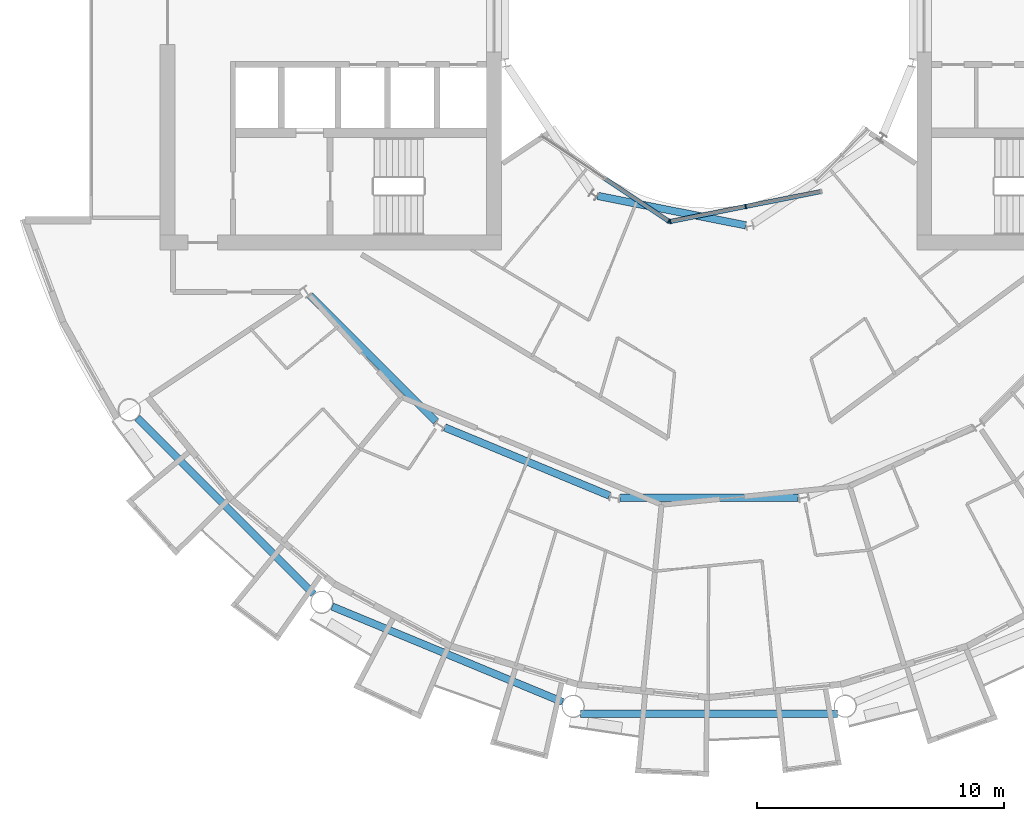
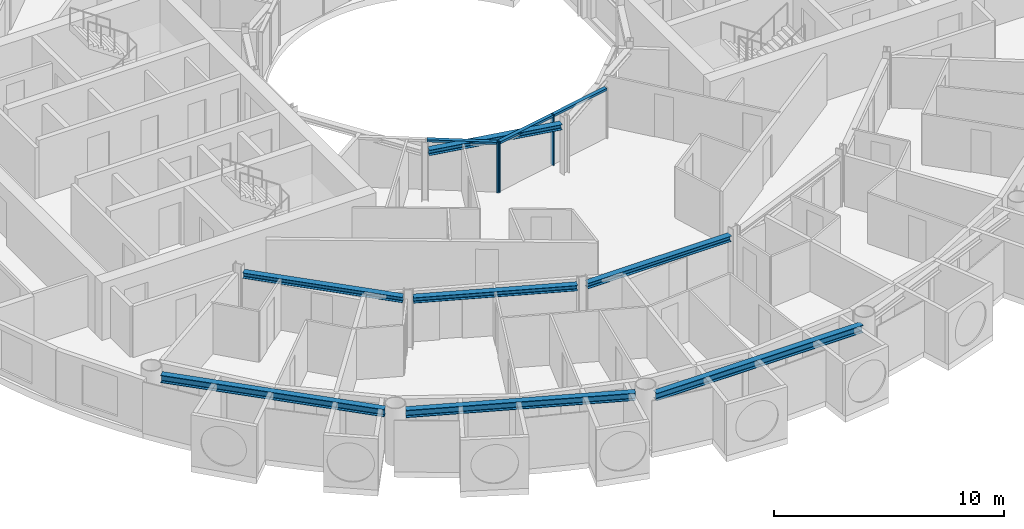
# One storey, part 5 of 27: 7 beams, 6 members, 2 elements without a shape of their own.
"""IFC4 building model written with IfcOpenShell, lengths in metres."""

from ifc_helpers import new_model, si_unit, direction, frame, origin, origin_2d, place, context, subcontext, project, spatial, rectangle, i_section, extrude, material, layer, layer_set, material_profile, profile_set, type_object, element, aggregate, save


model = new_model("IFC4")

# Units and contexts
model_context = context("Model", 3, precision=1e-05, world=origin(), true_north=direction((0.0, 1.0)))
body_context = subcontext(model_context, "Body", "Model", "MODEL_VIEW")
ifc_project = project(units=[si_unit("LENGTHUNIT", "METRE"), si_unit("AREAUNIT", "SQUARE_METRE"), si_unit("VOLUMEUNIT", "CUBIC_METRE"), si_unit("PLANEANGLEUNIT", "RADIAN"), si_unit("MASSUNIT", "GRAM", prefix="KILO")], contexts=[model_context])

# Site, building, storey
site_placement = place(None, origin())
site = spatial("IfcSite", under=ifc_project, at=site_placement, CompositionType="ELEMENT")
building_placement = place(site_placement, origin())
building = spatial("IfcBuilding", under=site, at=building_placement, Name="Maasbend Ring Residences", CompositionType="ELEMENT")
storey_placement = place(building_placement, frame((0.0, 0.0, 120.800048828125)))
storey = spatial("IfcBuildingStorey", under=building, at=storey_placement, Name="L34", CompositionType="ELEMENT", Elevation=120.800048828125)

# Curtain wall, member
ifc_material_1 = material(Name="Aluminium and clear glass", Category="aluminium")
ifc_layer = layer(ifc_material_1, 0.179931640625)
ifc_layer_set = layer_set([ifc_layer], Name="CW-W")
curtain_wall_type = type_object("IfcCurtainWallType", Name="CW-W", PredefinedType="NOTDEFINED", material=ifc_layer_set)
curtain_wall_1_placement = place(storey_placement, origin())
curtain_wall_1 = element("IfcCurtainWall", 1, at=curtain_wall_1_placement, inside=storey, type_object=curtain_wall_type, Name="Well curtain wall S1", PredefinedType="NOTDEFINED")
ifc_material_2 = material(Name="Aluminium 6063-T6", Category="aluminium")
ifc_material_profile_1 = material_profile(ifc_material_2, rectangle(XDim=0.179931640625, YDim=0.06005859375, at=origin_2d()), Name="AL 180x60")
ifc_profile_set_1 = profile_set([ifc_material_profile_1], Name="Aluminium 6063-T6")
member_type_1 = type_object("IfcMemberType", Name="CWM-W", PredefinedType="MULLION", material=ifc_profile_set_1)
member_1_placement = place(storey_placement, frame((-1.627685546875, -8.040771484375, 0.0), z_axis=(0.0, 0.0, 1.0), x_axis=(0.55557023302, 0.831469612303, 0.0)))
member_1 = element("IfcMember", 2, at=member_1_placement, type_object=member_type_1, Name="Mullion well face", PredefinedType="MULLION", context=body_context, shape_type="SweptSolid", body=[
    extrude(rectangle(XDim=0.179931640625, YDim=0.06005859375, at=origin_2d()), origin(), (0.0, 0.0, 1.0), 2.699951171875),
])

# Curtain wall, members
curtain_wall_2_placement = place(storey_placement, origin())
curtain_wall_2 = element("IfcCurtainWall", 3, at=curtain_wall_2_placement, inside=storey, type_object=curtain_wall_type, Name="Well curtain wall S2", PredefinedType="NOTDEFINED")
member_2_placement = place(storey_placement, frame((-1.5732421875, -8.0517578125, 0.0), z_axis=(0.0, 0.0, 1.0), x_axis=(-0.195090322016, 0.980785280403, 0.0)))
member_2 = element("IfcMember", 4, at=member_2_placement, type_object=member_type_1, Name="Mullion well face", PredefinedType="MULLION", context=body_context, shape_type="SweptSolid", body=[
    extrude(rectangle(XDim=0.179931640625, YDim=0.06005859375, at=origin_2d()), origin(), (0.0, 0.0, 1.0), 2.699951171875),
])
member_3_placement = place(storey_placement, frame((1.480712890625, -7.444091796875, 0.0), z_axis=(0.0, 0.0, 1.0), x_axis=(-0.195090322016, 0.980785280403, 0.0)))
member_3 = element("IfcMember", 5, at=member_3_placement, type_object=member_type_1, Name="Mullion well face", PredefinedType="MULLION", context=body_context, shape_type="SweptSolid", body=[
    extrude(rectangle(XDim=0.179931640625, YDim=0.06005859375, at=origin_2d()), origin(), (0.0, 0.0, 1.0), 2.699951171875),
])

# Member
ifc_material_3 = material(Name="Aluminium 6063-T6", Category="aluminium")
ifc_material_profile_2 = material_profile(ifc_material_3, rectangle(XDim=0.179931640625, YDim=0.1201171875, at=origin_2d()), Name="AL 180x120")
ifc_profile_set_2 = profile_set([ifc_material_profile_2], Name="Aluminium 6063-T6")
member_type_2 = type_object("IfcMemberType", Name="CWT-W", PredefinedType="USERDEFINED", material=ifc_profile_set_2)
member_4_placement = place(storey_placement, frame((-4.19189453125, -6.32763671875, 2.639892578125), z_axis=(0.831496422459, -0.555530106689, 0.0), x_axis=(0.555530106689, 0.831496422459, 0.0)))
member_4 = element("IfcMember", 6, at=member_4_placement, type_object=member_type_2, Name="Transom well face", ObjectType="TRANSOM", PredefinedType="USERDEFINED", context=body_context, shape_type="SweptSolid", body=[
    extrude(rectangle(XDim=0.179931640625, YDim=0.1201171875, at=origin_2d()), origin(), (0.0, 0.0, 1.0), 3.053955078125),
])

aggregate(curtain_wall_1, [member_1, member_4])

member_5_placement = place(storey_placement, frame((-1.5439453125, -8.0458984375, 2.639892578125), z_axis=(0.980776956105, 0.195132166424, 0.0), x_axis=(-0.195132166424, 0.980776956105, 0.0)))
member_5 = element("IfcMember", 7, at=member_5_placement, type_object=member_type_2, Name="Transom well face", ObjectType="TRANSOM", PredefinedType="USERDEFINED", context=body_context, shape_type="SweptSolid", body=[
    extrude(rectangle(XDim=0.179931640625, YDim=0.1201171875, at=origin_2d()), origin(), (0.0, 0.0, 1.0), 3.053955078125),
])

member_6_placement = place(storey_placement, frame((1.51025390625, -7.438232421875, 2.639892578125), z_axis=(0.980789210404, 0.19507056353, 0.0), x_axis=(-0.19507056353, 0.980789210404, 0.0)))
member_6 = element("IfcMember", 8, at=member_6_placement, type_object=member_type_2, Name="Transom well face", ObjectType="TRANSOM", PredefinedType="USERDEFINED", context=body_context, shape_type="SweptSolid", body=[
    extrude(rectangle(XDim=0.179931640625, YDim=0.1201171875, at=origin_2d()), origin(), (0.0, 0.0, 1.0), 3.0537109375),
])

aggregate(curtain_wall_2, [member_2, member_3, member_5, member_6])

# Beams
ifc_material_4 = material(Name="Steel S355J2", Category="steel")
ifc_material_profile_3 = material_profile(ifc_material_4, i_section(OverallWidth=0.300048828125, OverallDepth=0.2900390625, WebThickness=0.008544921875, FlangeThickness=0.013916015625, FilletRadius=0.027099609375, at=origin_2d()), Name="HEA 300")
ifc_profile_set_3 = profile_set([ifc_material_profile_3], Name="Steel S355J2")
beam_type_1 = type_object("IfcBeamType", Name="Corridor ring beam HEA 300", PredefinedType="BEAM", material=ifc_profile_set_3)
for number, where, z_axis, x_axis, name in (
    (9, (-16.14111328125, -11.044921875, 2.554931640625), (0.707106781187, -0.707106781187, 0.0), (0.707106781187, 0.707106781187, 0.0), "Corridor ring beam"),
    (10, (-10.685791015625, -16.381103515625, 2.554931640625), (0.923877693919, -0.382687871089, 0.0), (0.382687871089, 0.923877693919, 0.0), "Corridor ring beam"),
    (11, (-3.603515625, -19.223388671875, 2.554931640625), (1.0, 0.0, 0.0), (0.0, 1.0, 0.0), "Corridor ring beam"),
):
    element("IfcBeam", number, at=place(storey_placement, frame(where, z_axis=z_axis, x_axis=x_axis)), inside=storey, type_object=beam_type_1, Name=name, PredefinedType="BEAM", context=body_context, shape_type="SweptSolid", body=[
        extrude(i_section(OverallWidth=0.300048828125, OverallDepth=0.2900390625, WebThickness=0.008544921875, FlangeThickness=0.013916015625, FilletRadius=0.027099609375, at=origin_2d()), origin(), (0.0, 0.0, 1.0), 7.20703125),
    ])
ifc_material_5 = material(Name="Steel S355J2", Category="steel")
ifc_material_profile_4 = material_profile(ifc_material_5, i_section(OverallWidth=0.300048828125, OverallDepth=0.39990234375, WebThickness=0.013427734375, FlangeThickness=0.02392578125, FilletRadius=0.027099609375, at=origin_2d()), Name="HEB 400")
ifc_profile_set_4 = profile_set([ifc_material_profile_4], Name="Steel S355J2")
beam_type_2 = type_object("IfcBeamType", Name="Spandrel ring beam HEB 400", PredefinedType="SPANDREL", material=ifc_profile_set_4)
for number, where, z_axis, x_axis, name in (
    (12, (-23.124267578125, -15.990234375, 2.5), (0.707106781187, -0.707106781187, 0.0), (0.707106781187, 0.707106781187, 0.0), "Spandrel ring beam"),
    (13, (-15.244873046875, -23.622314453125, 2.5), (0.92388529709, -0.382669515144, 0.0), (0.382669515144, 0.92388529709, 0.0), "Spandrel ring beam"),
):
    element("IfcBeam", number, at=place(storey_placement, frame(where, z_axis=z_axis, x_axis=x_axis)), inside=storey, type_object=beam_type_2, Name=name, PredefinedType="SPANDREL", context=body_context, shape_type="SweptSolid", body=[
        extrude(i_section(OverallWidth=0.300048828125, OverallDepth=0.39990234375, WebThickness=0.013427734375, FlangeThickness=0.02392578125, FilletRadius=0.027099609375, at=origin_2d()), origin(), (0.0, 0.0, 1.0), 10.089111328125),
    ])
beam_1_placement = place(storey_placement, frame((-5.194580078125, -27.9580078125, 2.5), z_axis=(1.0, 0.0, 0.0), x_axis=(0.0, 1.0, 0.0)))
element("IfcBeam", 14, at=beam_1_placement, inside=storey, type_object=beam_type_2, Name="Spandrel ring beam", PredefinedType="SPANDREL", context=body_context, shape_type="SweptSolid", body=[
    extrude(i_section(OverallWidth=0.300048828125, OverallDepth=0.39990234375, WebThickness=0.013427734375, FlangeThickness=0.02392578125, FilletRadius=0.027099609375, at=origin_2d()), origin(), (0.0, 0.0, 1.0), 10.38916015625),
])
ifc_material_6 = material(Name="Steel S355J2", Category="steel")
ifc_material_profile_5 = material_profile(ifc_material_6, i_section(OverallWidth=0.300048828125, OverallDepth=0.2900390625, WebThickness=0.008544921875, FlangeThickness=0.013916015625, FilletRadius=0.027099609375, at=origin_2d()), Name="HEA 300")
ifc_profile_set_5 = profile_set([ifc_material_profile_5], Name="Steel S355J2")
beam_type_3 = type_object("IfcBeamType", Name="Well edge beam HEA 300", PredefinedType="BEAM", material=ifc_profile_set_5)
beam_2_placement = place(storey_placement, frame((-4.507568359375, -7.01611328125, 2.554931640625), z_axis=(0.980792381321, -0.195054619896, 0.0), x_axis=(0.195054619896, 0.980792381321, 0.0)))
element("IfcBeam", 15, at=beam_2_placement, inside=storey, type_object=beam_type_3, Name="Well edge beam", PredefinedType="BEAM", context=body_context, shape_type="SweptSolid", body=[
    extrude(i_section(OverallWidth=0.300048828125, OverallDepth=0.2900390625, WebThickness=0.008544921875, FlangeThickness=0.013916015625, FilletRadius=0.027099609375, at=origin_2d()), origin(), (0.0, 0.0, 1.0), 6.104248046875),
])

save(model, "model.ifc")
